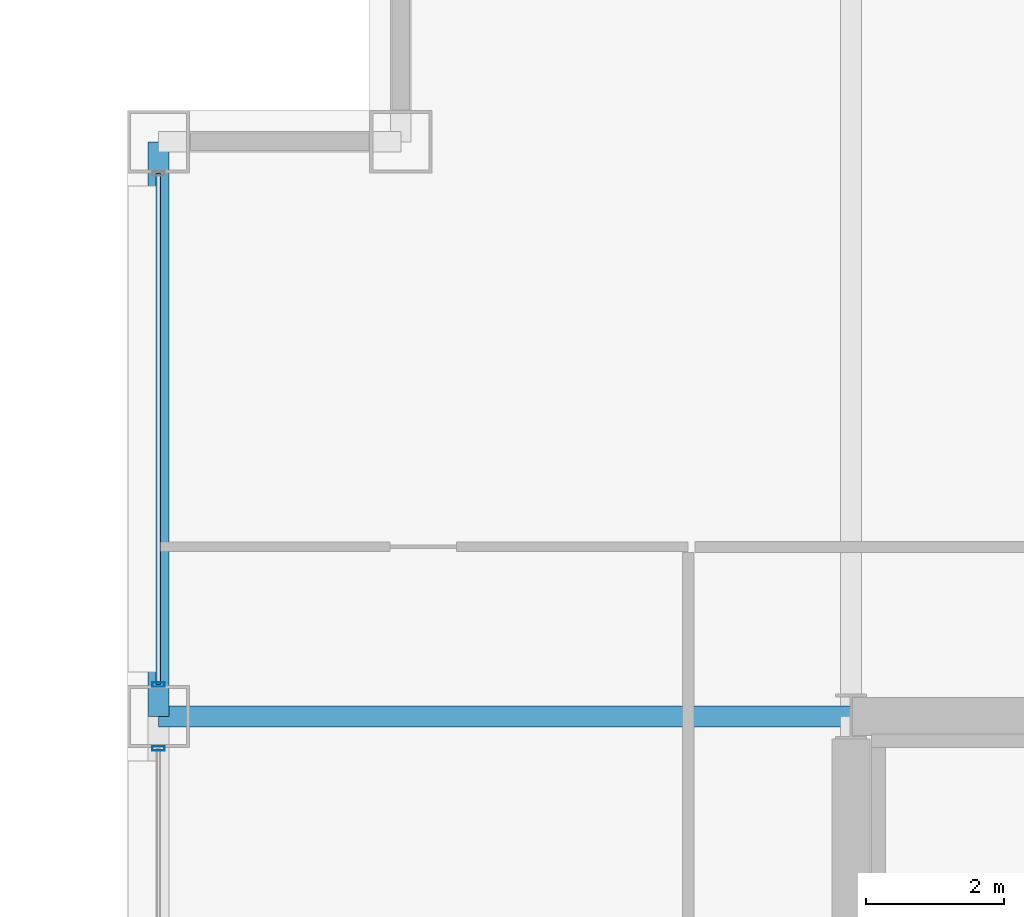
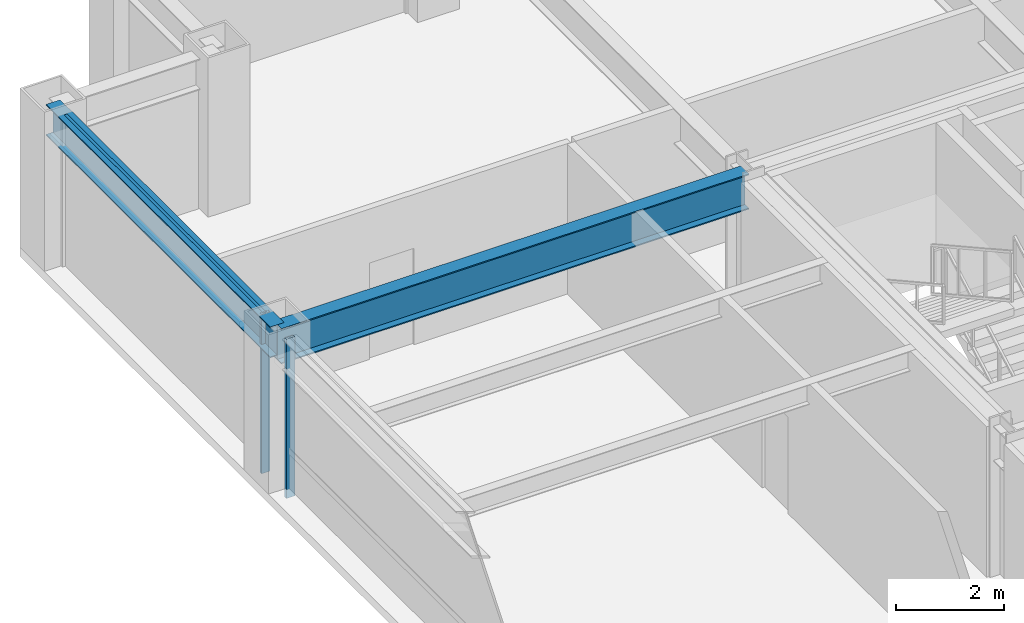
# One storey, part 15 of 29: 3 members, 2 beams, 2 elements without a shape of their own.
"""IFC4 building model written with IfcOpenShell, lengths in metres."""

import ifcopenshell
import ifcopenshell.guid

model = None  # the IFC model being written
_history = None  # IfcOwnerHistory: only IFC2X3 demands one
_inside = {}  # id of a spatial element -> (the spatial element, [elements in it])
_under = {}  # id of a project, library or spatial element -> (it, [spatial elements below it])
_declared = {}  # id of a project -> (the project, [libraries it declares])
_typed = {}  # id of a type object -> (the type object, [elements of that type])
_made_of = {}  # id of a material, layer set ... -> (it, [elements and type objects made of it])


def new_model(schema):
    """Start an empty IFC model of exactly this schema.

    Asked for "IFC4X3", IfcOpenShell would pick the latest addendum, in which some entities
    have other attributes; the version numbers below select the first issue.
    IFC2X3 requires an IfcOwnerHistory on every rooted entity: one is made here for all.
    """
    global model, _history
    if schema == "IFC4X3":
        model = ifcopenshell.file(schema_version=(4, 3, 0, 0))
    else:
        model = ifcopenshell.file(schema=schema)
    _inside.clear()
    _under.clear()
    _declared.clear()
    _typed.clear()
    _made_of.clear()
    _history = None
    if model.schema == "IFC2X3":
        org = make("IfcOrganization", Name="unknown")
        user = make(
            "IfcPersonAndOrganization",
            ThePerson=make("IfcPerson", FamilyName="unknown"),
            TheOrganization=org,
        )
        app = make(
            "IfcApplication",
            ApplicationDeveloper=org,
            Version="unknown",
            ApplicationFullName="unknown",
            ApplicationIdentifier="unknown",
        )
        _history = make(
            "IfcOwnerHistory",
            OwningUser=user,
            OwningApplication=app,
            ChangeAction="ADDED",
            CreationDate=0,
        )
    return model


def make(cls, **values):
    """One entity of the class cls with the attributes given. An attribute that is None is left unset."""
    return model.create_entity(
        cls, **{name: value for name, value in values.items() if value is not None}
    )


def rooted(cls, **values):
    """An entity with a GlobalId (a new one), such as an element, a storey or a relation."""
    return make(cls, GlobalId=ifcopenshell.guid.new(), OwnerHistory=_history, **values)


def si_unit(unit_type, name, prefix=None):
    """IfcSIUnit, for example si_unit("LENGTHUNIT", "METRE", prefix="MILLI")."""
    return make("IfcSIUnit", UnitType=unit_type, Prefix=prefix, Name=name)


def assignment(units):
    """IfcUnitAssignment: the units of a project."""
    return None if units is None else make("IfcUnitAssignment", Units=units)


def point(xyz):
    """IfcCartesianPoint."""
    return None if xyz is None else make("IfcCartesianPoint", Coordinates=xyz)


def direction(xyz):
    """IfcDirection."""
    return None if xyz is None else make("IfcDirection", DirectionRatios=xyz)


def frame(location, z_axis=None, x_axis=None):
    """IfcAxis2Placement3D, a coordinate frame: its origin and axes. An axis left out is left unset."""
    return make(
        "IfcAxis2Placement3D",
        Location=point(location),
        Axis=direction(z_axis),
        RefDirection=direction(x_axis),
    )


def frame_2d(location, x_axis=None):
    """IfcAxis2Placement2D, a coordinate frame in the plane: its origin and x axis."""
    return make(
        "IfcAxis2Placement2D", Location=point(location), RefDirection=direction(x_axis)
    )


def origin():
    """The frame at (0, 0, 0) with its axes left unset."""
    return frame((0.0, 0.0, 0.0))


def origin_2d():
    """The frame at (0, 0) in the plane with its x axis left unset."""
    return frame_2d((0.0, 0.0))


def place(relative_to, where):
    """IfcLocalPlacement: puts the frame where relative to a parent placement (None: the world)."""
    return make(
        "IfcLocalPlacement", PlacementRelTo=relative_to, RelativePlacement=where
    )


def context(
    kind, dimensions, precision=None, world=None, true_north=None, identifier=None
):
    """IfcGeometricRepresentationContext, for example the 3D "Model" context."""
    return make(
        "IfcGeometricRepresentationContext",
        ContextIdentifier=identifier,
        ContextType=kind,
        CoordinateSpaceDimension=dimensions,
        Precision=precision,
        WorldCoordinateSystem=world,
        TrueNorth=true_north,
    )


def subcontext(parent, identifier, kind, view, scale=None):
    """IfcGeometricRepresentationSubContext, for example "Body" below "Model"."""
    return make(
        "IfcGeometricRepresentationSubContext",
        ContextIdentifier=identifier,
        ContextType=kind,
        ParentContext=parent,
        TargetScale=scale,
        TargetView=view,
    )


def project(units=None, contexts=None):
    """IfcProject with its units and contexts."""
    return rooted(
        "IfcProject",
        Name="project",
        RepresentationContexts=contexts,
        UnitsInContext=assignment(units),
    )


def spatial(cls, under=None, at=None, **own):
    """A site, building, storey or space (cls), placed at a placement, below another one or the project."""
    s = rooted(cls, ObjectPlacement=at, **own)
    if under is not None:
        _under.setdefault(under.id(), (under, []))[1].append(s)
    return s


def profile(cls, at=None, kind="AREA", **sizes):
    """A parametric profile (cls). Its sizes go by their IFC names, for example OverallWidth=200.0."""
    return make(cls, ProfileType=kind, Position=at, **sizes)


def hollow_rectangle(**sizes):
    """IfcRectangleHollowProfileDef."""
    return profile("IfcRectangleHollowProfileDef", **sizes)


def i_section(**sizes):
    """IfcIShapeProfileDef."""
    return profile("IfcIShapeProfileDef", **sizes)


def extrude(swept, where, along, depth):
    """IfcExtrudedAreaSolid: the profile swept, set in the frame where, extruded along a direction by depth."""
    return make(
        "IfcExtrudedAreaSolid",
        SweptArea=swept,
        Position=where,
        ExtrudedDirection=direction(along),
        Depth=depth,
    )


def shape(context_of_items, identifier, shape_type, items):
    """IfcShapeRepresentation: the items that make up one representation, for example the "Body"."""
    return make(
        "IfcShapeRepresentation",
        ContextOfItems=context_of_items,
        RepresentationIdentifier=identifier,
        RepresentationType=shape_type,
        Items=items,
    )


def material(Name=None, Category=None):
    """IfcMaterial."""
    return make("IfcMaterial", Name=Name, Category=Category)


def layer(
    of_material, thickness, ventilated=None, Name=None, Category=None, Priority=None
):
    """IfcMaterialLayer: one layer of a wall or slab, of a material (None: an air gap)."""
    return make(
        "IfcMaterialLayer",
        Material=of_material,
        LayerThickness=thickness,
        IsVentilated=ventilated,
        Name=Name,
        Category=Category,
        Priority=Priority,
    )


def layer_set(layers, Name=None):
    """IfcMaterialLayerSet."""
    return make("IfcMaterialLayerSet", MaterialLayers=layers, LayerSetName=Name)


def material_profile(
    of_material, cross_section, Name=None, Category=None, Priority=None
):
    """IfcMaterialProfile: a cross section and its material."""
    return make(
        "IfcMaterialProfile",
        Name=Name,
        Material=of_material,
        Profile=cross_section,
        Priority=Priority,
        Category=Category,
    )


def profile_set(profiles, Name=None, composite=None):
    """IfcMaterialProfileSet."""
    return make(
        "IfcMaterialProfileSet",
        Name=Name,
        MaterialProfiles=profiles,
        CompositeProfile=composite,
    )


def made_of(thing, what):
    """Note that an element or type object is made of a material, layer set ...; save() writes the relation."""
    if what is not None:
        _made_of.setdefault(what.id(), (what, []))[1].append(thing)
    return thing


def type_object(cls, material=None, **own):
    """A type object (cls), such as IfcWallType, which elements share."""
    return made_of(rooted(cls, **own), material)


def element(
    cls,
    number,
    at=None,
    inside=None,
    cuts=None,
    type_object=None,
    material=None,
    context=None,
    identifier="Body",
    shape_type=None,
    held_by="IfcProductDefinitionShape",
    body=None,
    shapes=None,
    **own,
):
    """One element of the class cls, such as IfcWall. Its Tag is "e" and its number.

    at: its placement. inside: the storey or other place that contains it. cuts: it is an
    opening in that element (IfcRelVoidsElement). A single representation is given by context,
    identifier, shape_type and body (its items); several are given by shapes. held_by: the class
    of the entity that holds the representations. save() writes the other relations.
    """
    e = rooted(cls, Tag="e%d" % number, ObjectPlacement=at, **own)
    if body is not None:
        shapes = [shape(context, identifier, shape_type, body)]
    if shapes is not None:
        e.Representation = make(held_by, Representations=shapes)
    if inside is not None:
        _inside.setdefault(inside.id(), (inside, []))[1].append(e)
    if cuts is not None:
        rooted(
            "IfcRelVoidsElement", RelatingBuildingElement=cuts, RelatedOpeningElement=e
        )
    if type_object is not None:
        _typed.setdefault(type_object.id(), (type_object, []))[1].append(e)
    return made_of(e, material)


def aggregate(whole, parts):
    """IfcRelAggregates: a whole, such as a stair, and the parts it consists of."""
    return rooted("IfcRelAggregates", RelatingObject=whole, RelatedObjects=parts)


def save(model, path):
    """Write the relations noted so far, then the file.

    IfcRelAggregates (storeys below a building ...), IfcRelContainedInSpatialStructure (elements
    in a storey), IfcRelDefinesByType, IfcRelAssociatesMaterial and IfcRelDeclares: one each for
    every whole, place, type object, material and project.
    """
    for whole, parts in _under.values():
        aggregate(whole, parts)
    for where, things in _inside.values():
        rooted(
            "IfcRelContainedInSpatialStructure",
            RelatedElements=things,
            RelatingStructure=where,
        )
    for kind, things in _typed.values():
        rooted("IfcRelDefinesByType", RelatedObjects=things, RelatingType=kind)
    for what, things in _made_of.values():
        rooted("IfcRelAssociatesMaterial", RelatedObjects=things, RelatingMaterial=what)
    for by, libraries in _declared.values():
        rooted("IfcRelDeclares", RelatingContext=by, RelatedDefinitions=libraries)
    model.write(path)


model = new_model("IFC4")

# Units and contexts
model_context = context("Model", 3, precision=1e-05, world=origin(), true_north=direction((0.0, 1.0)))
body_context = subcontext(model_context, "Body", "Model", "MODEL_VIEW")
ifc_project = project(units=[si_unit("LENGTHUNIT", "METRE"), si_unit("AREAUNIT", "SQUARE_METRE"), si_unit("VOLUMEUNIT", "CUBIC_METRE"), si_unit("PLANEANGLEUNIT", "RADIAN"), si_unit("MASSUNIT", "GRAM", prefix="KILO")], contexts=[model_context])

# Site, building, storey
site_placement = place(None, origin())
site = spatial("IfcSite", under=ifc_project, at=site_placement, CompositionType="ELEMENT")
building_placement = place(site_placement, origin())
building = spatial("IfcBuilding", under=site, at=building_placement, Name="Brelmoor Portico Tower", CompositionType="ELEMENT")
storey_placement = place(building_placement, frame((0.0, 0.0, 60.0)))
storey = spatial("IfcBuildingStorey", under=building, at=storey_placement, Name="L15", CompositionType="ELEMENT", Elevation=60.0)

# Beams
ifc_material_1 = material(Name="Steel Q355B", Category="steel")
ifc_material_profile_1 = material_profile(ifc_material_1, i_section(OverallWidth=0.300048828125, OverallDepth=0.800048828125, WebThickness=0.013916015625, FlangeThickness=0.02587890625, at=origin_2d()), Name="HN 800x300x14x26")
ifc_profile_set_1 = profile_set([ifc_material_profile_1], Name="Steel Q355B")
beam_type_1 = type_object("IfcBeamType", Name="BM-PG-800", PredefinedType="BEAM", material=ifc_profile_set_1)
beam_1_placement = place(storey_placement, frame((-24.550048828125, 9.75, 3.0), z_axis=(1.0, 0.0, 0.0), x_axis=(0.0, 1.0, 0.0)))
element("IfcBeam", 1, at=beam_1_placement, inside=storey, type_object=beam_type_1, Name="L15 Primary Floor Girder PG-27", PredefinedType="BEAM", context=body_context, shape_type="SweptSolid", body=[
    extrude(i_section(OverallWidth=0.300048828125, OverallDepth=0.800048828125, WebThickness=0.013916015625, FlangeThickness=0.02587890625, at=origin_2d()), origin(), (0.0, 0.0, 1.0), 10.0),
])
ifc_material_profile_2 = material_profile(ifc_material_1, i_section(OverallWidth=0.300048828125, OverallDepth=0.699951171875, WebThickness=0.012939453125, FlangeThickness=0.02392578125, at=origin_2d()), Name="HN 700x300x13x24")
ifc_profile_set_2 = profile_set([ifc_material_profile_2], Name="Steel Q355B")
beam_type_2 = type_object("IfcBeamType", Name="BM-SP-700", PredefinedType="SPANDREL", material=ifc_profile_set_2)
beam_2_placement = place(storey_placement, frame((-24.550048828125, 9.75, 3.050048828125), z_axis=(0.0, 1.0, 0.0), x_axis=(-1.0, 0.0, 0.0)))
element("IfcBeam", 2, at=beam_2_placement, inside=storey, type_object=beam_type_2, Name="L15 Perimeter Spandrel Beam SP-17", PredefinedType="SPANDREL", context=body_context, shape_type="SweptSolid", body=[
    extrude(i_section(OverallWidth=0.300048828125, OverallDepth=0.699951171875, WebThickness=0.012939453125, FlangeThickness=0.02392578125, at=origin_2d()), origin(), (0.0, 0.0, 1.0), 8.300048828125),
])

# Curtain wall, member
ifc_material_2 = material(Name="Anodised Aluminium Alloy 6063-T6", Category="aluminium")
ifc_layer_1 = layer(ifc_material_2, 0.179931640625)
ifc_layer_set_1 = layer_set([ifc_layer_1], Name="Anodised Aluminium Alloy 6063-T6")
curtain_wall_type_1 = type_object("IfcCurtainWallType", Name="CW-TOWER-Z1", PredefinedType="NOTDEFINED", material=ifc_layer_set_1)
curtain_wall_1_placement = place(storey_placement, origin())
curtain_wall_1 = element("IfcCurtainWall", 3, at=curtain_wall_1_placement, inside=storey, type_object=curtain_wall_type_1, Name="L15 Curtain Wall CW-L15-3R-1", PredefinedType="NOTDEFINED")
ifc_material_profile_3 = material_profile(ifc_material_2, hollow_rectangle(XDim=0.06494140625, YDim=0.179931640625, WallThickness=0.00390625, at=origin_2d()), Name="ALU MULLION 65x180")
ifc_profile_set_3 = profile_set([ifc_material_profile_3], Name="Anodised Aluminium Alloy 6063-T6")
member_type_1 = type_object("IfcMemberType", Name="MB-CW-MULL-180", PredefinedType="MULLION", material=ifc_profile_set_3)
member_1_placement = place(storey_placement, frame((-24.550048828125, 9.2900390625, -0.199951171875), z_axis=(0.0, 0.0, 1.0), x_axis=(0.0, 1.0, 0.0)))
member_1 = element("IfcMember", 4, at=member_1_placement, type_object=member_type_1, Name="CW-L15-3R-1 Mullion 01", PredefinedType="MULLION", context=body_context, shape_type="SweptSolid", body=[
    extrude(hollow_rectangle(XDim=0.06494140625, YDim=0.179931640625, WallThickness=0.00390625, at=origin_2d()), origin(), (0.0, 0.0, 1.0), 3.599853515625),
])
aggregate(curtain_wall_1, [member_1])

# Curtain wall, members
ifc_layer_2 = layer(ifc_material_2, 0.179931640625)
ifc_layer_set_2 = layer_set([ifc_layer_2], Name="Anodised Aluminium Alloy 6063-T6")
curtain_wall_type_2 = type_object("IfcCurtainWallType", Name="CW-TOWER-Z1-XB", PredefinedType="NOTDEFINED", material=ifc_layer_set_2)
curtain_wall_2_placement = place(storey_placement, origin())
curtain_wall_2 = element("IfcCurtainWall", 5, at=curtain_wall_2_placement, inside=storey, type_object=curtain_wall_type_2, Name="L15 Curtain Wall CW-L15-3R-2", PredefinedType="NOTDEFINED")
member_2_placement = place(storey_placement, frame((-24.550048828125, 10.2099609375, -0.199951171875), z_axis=(0.0, 0.0, 1.0), x_axis=(0.0, 1.0, 0.0)))
member_2 = element("IfcMember", 6, at=member_2_placement, type_object=member_type_1, Name="CW-L15-3R-2 Mullion 00", PredefinedType="MULLION", context=body_context, shape_type="SweptSolid", body=[
    extrude(hollow_rectangle(XDim=0.06494140625, YDim=0.179931640625, WallThickness=0.00390625, at=origin_2d()), origin(), (0.0, 0.0, 1.0), 3.599853515625),
])
ifc_material_profile_4 = material_profile(ifc_material_2, hollow_rectangle(XDim=0.06494140625, YDim=0.139892578125, WallThickness=0.00390625, at=origin_2d()), Name="ALU TRANSOM 65x140")
ifc_profile_set_4 = profile_set([ifc_material_profile_4], Name="Anodised Aluminium Alloy 6063-T6")
member_type_2 = type_object("IfcMemberType", Name="MB-CW-TRAN-140", PredefinedType="USERDEFINED", material=ifc_profile_set_4)
member_3_placement = place(storey_placement, frame((-24.550048828125, 10.2099609375, 3.330078125), z_axis=(0.0, 1.0, 0.0), x_axis=(-1.0, 0.0, 0.0)))
member_3 = element("IfcMember", 7, at=member_3_placement, type_object=member_type_2, Name="CW-L15-3R-2 Transom 1-00", ObjectType="TRANSOM", PredefinedType="USERDEFINED", context=body_context, shape_type="SweptSolid", body=[
    extrude(hollow_rectangle(XDim=0.06494140625, YDim=0.139892578125, WallThickness=0.00390625, at=origin_2d()), origin(), (0.0, 0.0, 1.0), 7.380126953125),
])
aggregate(curtain_wall_2, [member_2, member_3])

save(model, "model.ifc")
